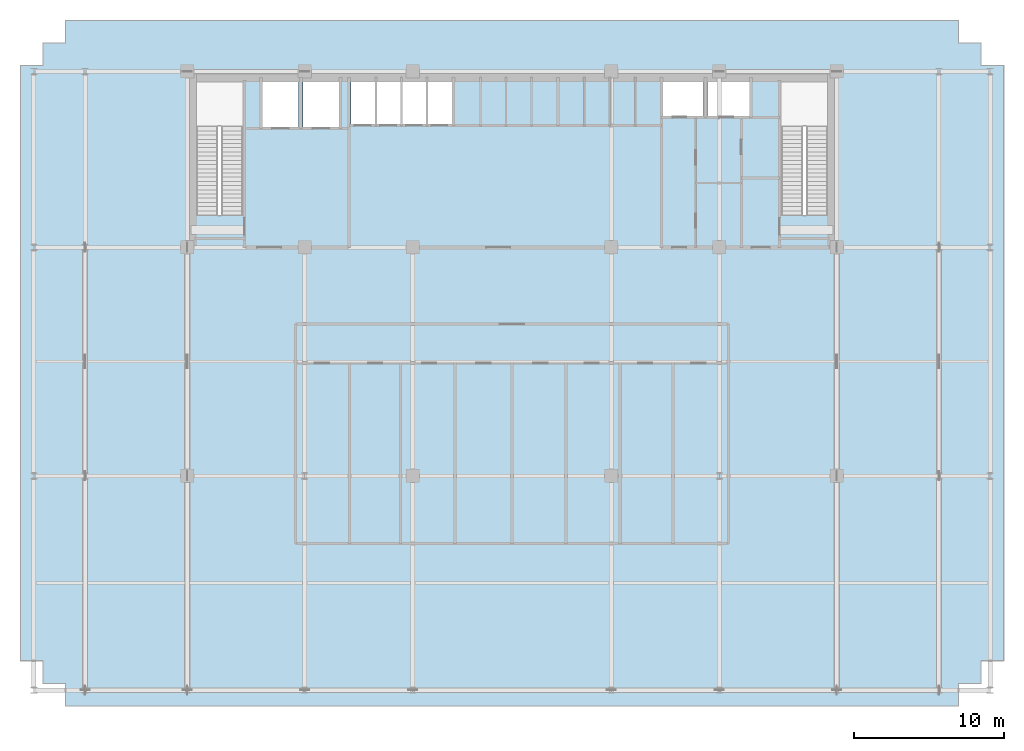
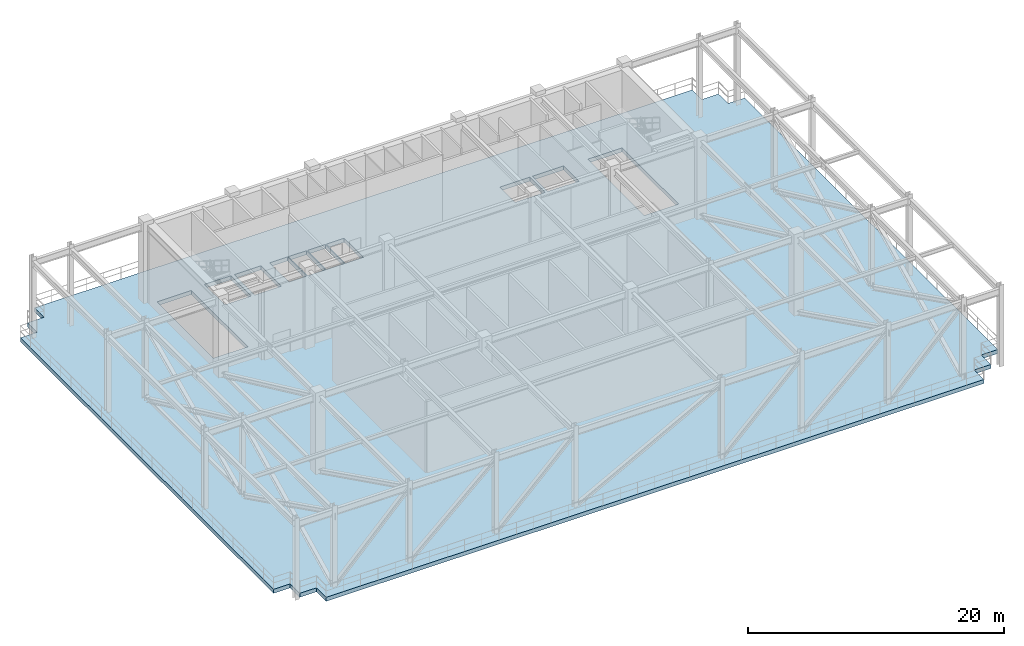
# One storey, part 6 of 16: 1 slab.
"""IFC4 building model written with IfcOpenShell, lengths in metres."""

from ifc_helpers import new_model, si_unit, direction, frame, origin, place, context, subcontext, project, spatial, polyline, outline, extrude, material, layer, layer_set, type_object, element, save


model = new_model("IFC4")

# Units and contexts
model_context = context("Model", 3, precision=1e-05, world=origin(), true_north=direction((0.0, 1.0)))
body_context = subcontext(model_context, "Body", "Model", "MODEL_VIEW")
ifc_project = project(units=[si_unit("LENGTHUNIT", "METRE"), si_unit("AREAUNIT", "SQUARE_METRE"), si_unit("VOLUMEUNIT", "CUBIC_METRE"), si_unit("PLANEANGLEUNIT", "RADIAN"), si_unit("MASSUNIT", "GRAM", prefix="KILO")], contexts=[model_context])

# Site, building, storey
site_placement = place(None, origin())
site = spatial("IfcSite", under=ifc_project, at=site_placement, CompositionType="ELEMENT")
building_placement = place(site_placement, origin())
building = spatial("IfcBuilding", under=site, at=building_placement, Name="Trelvane Seafront Commons", CompositionType="ELEMENT")
storey_placement = place(building_placement, frame((0.0, 0.0, 73.89990234375)))
storey = spatial("IfcBuildingStorey", under=building, at=storey_placement, Name="L19", CompositionType="ELEMENT", Elevation=73.89990234375)

# Slab
ifc_material = material(Name="Concrete C60/75", Category="concrete")
ifc_layer = layer(ifc_material, 0.3798828125, Name="STR-SLB-T380")
ifc_layer_set = layer_set([ifc_layer], Name="Concrete C60/75")
slab_type = type_object("IfcSlabType", Name="STR-SLB-T380", PredefinedType="FLOOR", material=ifc_layer_set)
slab_placement = place(storey_placement, frame((0.0, 0.0, -0.3798828125)))
element("IfcSlab", 1, at=slab_placement, inside=storey, type_object=slab_type, Name="L19 Structural Floor Slab", PredefinedType="FLOOR", context=body_context, shape_type="SweptSolid", body=[
    extrude(outline(polyline([(7.5, 2.89990234375), (66.89990234375, 2.89990234375), (66.89990234375, 4.39990234375), (68.39990234375, 4.39990234375), (68.39990234375, 5.89990234375), (69.89990234375, 5.89990234375), (69.89990234375, 45.5), (68.39990234375, 45.5), (68.39990234375, 47.0), (66.89990234375, 47.0), (66.89990234375, 48.5), (7.5, 48.5), (7.5, 47.0), (6.0, 47.0), (6.0, 45.5), (4.5, 45.5), (4.5, 5.89990234375), (6.0, 5.89990234375), (6.0, 4.39990234375), (7.5, 4.39990234375), (7.5, 2.89990234375)]), holes=[polyline([(19.300048828125, 35.550048828125), (16.199951171875, 35.550048828125), (16.199951171875, 44.39990234375), (19.300048828125, 44.39990234375), (19.300048828125, 35.550048828125)]), polyline([(58.199951171875, 35.550048828125), (55.10009765625, 35.550048828125), (55.10009765625, 44.39990234375), (58.199951171875, 44.39990234375), (58.199951171875, 35.550048828125)]), polyline([(23.0, 41.39990234375), (20.60009765625, 41.39990234375), (20.60009765625, 44.60009765625), (23.0, 44.60009765625), (23.0, 41.39990234375)]), polyline([(23.300048828125, 41.39990234375), (23.300048828125, 44.60009765625), (25.699951171875, 44.60009765625), (25.699951171875, 41.39990234375), (23.300048828125, 41.39990234375)]), polyline([(26.5, 41.60009765625), (26.5, 44.60009765625), (28.1201171875, 44.60009765625), (28.1201171875, 41.60009765625), (26.5, 41.60009765625)]), polyline([(29.820068359375, 41.60009765625), (28.199951171875, 41.60009765625), (28.199951171875, 44.60009765625), (29.820068359375, 44.60009765625), (29.820068359375, 41.60009765625)]), polyline([(31.52001953125, 41.60009765625), (29.89990234375, 41.60009765625), (29.89990234375, 44.60009765625), (31.52001953125, 44.60009765625), (31.52001953125, 41.60009765625)]), polyline([(33.219970703125, 41.60009765625), (31.60009765625, 41.60009765625), (31.60009765625, 44.60009765625), (33.219970703125, 44.60009765625), (33.219970703125, 41.60009765625)]), polyline([(47.25, 42.14990234375), (47.25, 44.550048828125), (49.949951171875, 44.550048828125), (49.949951171875, 42.14990234375), (47.25, 42.14990234375)]), polyline([(50.199951171875, 42.14990234375), (50.199951171875, 44.550048828125), (53.0, 44.550048828125), (53.0, 42.14990234375), (50.199951171875, 42.14990234375)])]), origin(), (0.0, 0.0, 1.0), 0.3798828125),
])

save(model, "model.ifc")
